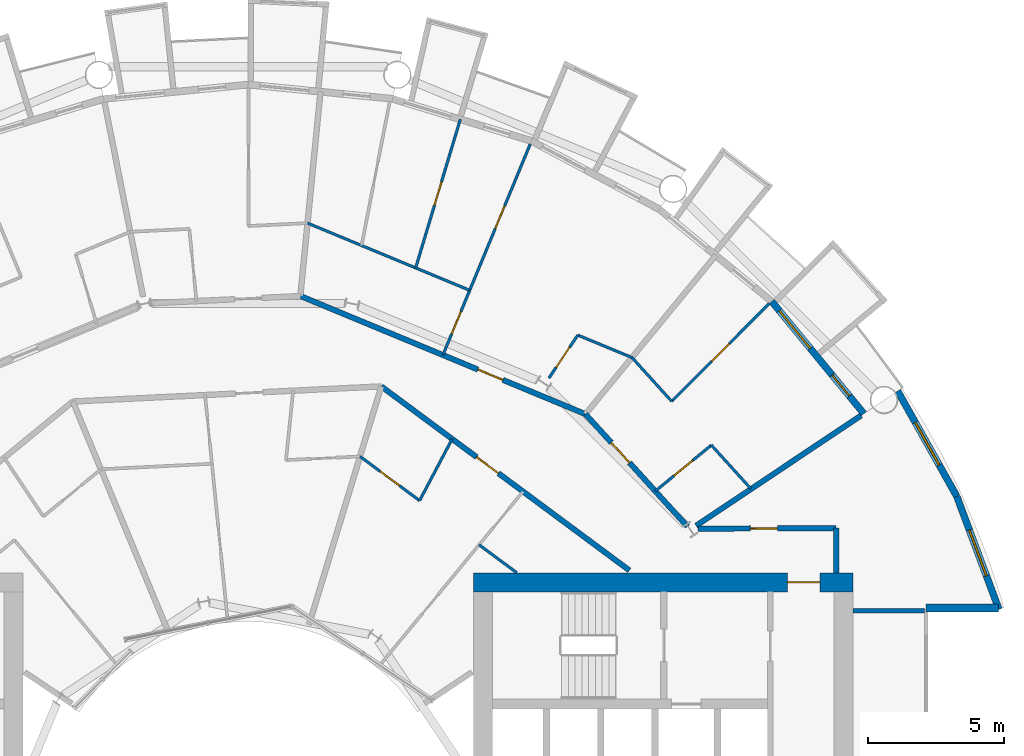
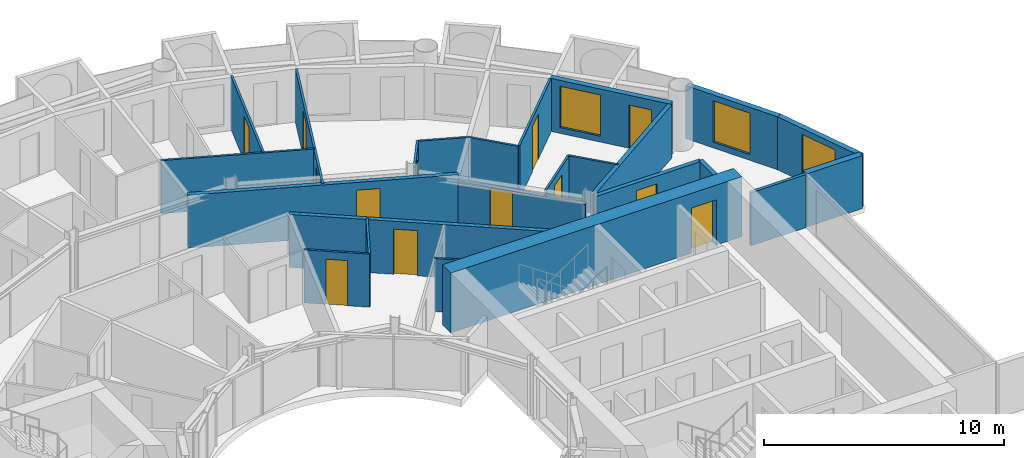
# One storey, part 21 of 26: 24 walls, 13 doors, 3 windows, 16 openings.
"""IFC4 building model written with IfcOpenShell, lengths in metres."""

from ifc_helpers import new_model, si_unit, direction, frame, frame_2d, origin, place, context, subcontext, project, spatial, rectangle, extrude, material, layer, layer_set, type_object, element, fill, save


model = new_model("IFC4")

# Units and contexts
model_context = context("Model", 3, precision=1e-05, world=origin(), true_north=direction((0.0, 1.0)))
body_context = subcontext(model_context, "Body", "Model", "MODEL_VIEW")
ifc_project = project(units=[si_unit("LENGTHUNIT", "METRE"), si_unit("AREAUNIT", "SQUARE_METRE"), si_unit("VOLUMEUNIT", "CUBIC_METRE"), si_unit("PLANEANGLEUNIT", "RADIAN"), si_unit("MASSUNIT", "GRAM", prefix="KILO")], contexts=[model_context])

# Site, building, storey
site_placement = place(None, origin())
site = spatial("IfcSite", under=ifc_project, at=site_placement, CompositionType="ELEMENT")
building_placement = place(site_placement, origin())
building = spatial("IfcBuilding", under=site, at=building_placement, Name="Maasbend Ring Residences", CompositionType="ELEMENT")
storey_placement = place(building_placement, frame((0.0, 0.0, 69.699951171875)))
storey = spatial("IfcBuildingStorey", under=building, at=storey_placement, Name="L19", CompositionType="ELEMENT", Elevation=69.699951171875)

# Wall, opening, door
ifc_material_1 = material(Name="Concrete C70/85", Category="concrete")
ifc_layer_1 = layer(ifc_material_1, 0.699951171875)
ifc_layer_set_1 = layer_set([ifc_layer_1], Name="Concrete C70/85")
wall_type_1 = type_object("IfcWallType", Name="CORE WALL 700 C70/85", PredefinedType="SHEAR", material=ifc_layer_set_1)
wall_1_placement = place(storey_placement, frame((22.300048828125, 8.949951171875, 0.0), z_axis=(0.0, 0.0, 1.0), x_axis=(-1.0, 0.0, 0.0)))
wall_1 = element("IfcWall", 1, at=wall_1_placement, inside=storey, type_object=wall_type_1, Name="L19 core E wall PN", PredefinedType="SHEAR", context=body_context, shape_type="SweptSolid", body=[
    extrude(rectangle(XDim=14.0, YDim=0.699951171875, at=frame_2d((7.0, 0.0))), origin(), (0.0, 0.0, 1.0), 3.050048828125),
])
opening_1_placement = place(wall_1_placement, frame((1.22509765625, 0.0, 0.0)))
opening_1 = element("IfcOpeningElement", 2, at=opening_1_placement, cuts=wall_1, Name="Opening D-E1915", PredefinedType="OPENING", context=body_context, shape_type="SweptSolid", body=[
    extrude(rectangle(XDim=1.199951171875, YDim=2.300048828125, at=frame_2d((0.60009765625, 1.14990234375))), frame((0.0, 0.35986328125, 0.0), z_axis=(0.0, -1.0, 0.0), x_axis=(1.0, 0.0, 0.0)), (0.0, 0.0, 1.0), 0.719970703125),
])
ifc_material_2 = material(Name="Steel, powder coated", Category="steel")
door_type_1 = type_object("IfcDoorType", Name="CORRIDOR DOOR 1200 X 2300 FD30S", OperationType="NOTDEFINED", PredefinedType="DOOR", material=ifc_material_2)
door_1_placement = place(opening_1_placement, origin())
door_1 = element("IfcDoor", 3, at=door_1_placement, inside=storey, type_object=door_type_1, Name="Corridor door L19", OperationType="SINGLE_SWING_RIGHT", OverallHeight=2.300048828125, OverallWidth=1.199951171875, PredefinedType="DOOR", context=body_context, shape_type="SweptSolid", body=[
    extrude(rectangle(XDim=1.199951171875, YDim=2.300048828125, at=frame_2d((0.60009765625, 1.14990234375))), frame((0.0, 0.02490234375, 0.0), z_axis=(0.0, -1.0, 0.0), x_axis=(1.0, 0.0, 0.0)), (0.0, 0.0, 1.0), 0.050048828125),
])
fill(opening_1, door_1)

# Wall
ifc_material_3 = material(Name="Concrete C30/37", Category="concrete")
ifc_layer_2 = layer(ifc_material_3, 0.199951171875)
ifc_layer_set_2 = layer_set([ifc_layer_2], Name="Concrete C30/37")
wall_type_2 = type_object("IfcWallType", Name="CORRIDOR WALL 200 CONCRETE", PredefinedType="PARTITIONING", material=ifc_layer_set_2)
wall_2_placement = place(storey_placement, frame((21.675048828125, 9.300048828125, 0.0), z_axis=(0.0, 0.0, 1.0), x_axis=(0.0, 1.0, 0.0)))
element("IfcWall", 4, at=wall_2_placement, inside=storey, type_object=wall_type_2, Name="U-L19-w006", PredefinedType="PARTITIONING", context=body_context, shape_type="SweptSolid", body=[
    extrude(rectangle(XDim=1.64990234375, YDim=0.199951171875, at=frame_2d((0.824951171875, 0.0))), origin(), (0.0, 0.0, 1.0), 2.699951171875),
])

# Wall, opening, door
wall_3_placement = place(storey_placement, frame((16.589111328125, 10.924072265625, 0.0), z_axis=(0.0, 0.0, 1.0), x_axis=(0.999987054722, 0.005088259783, 0.0)))
wall_3 = element("IfcWall", 5, at=wall_3_placement, inside=storey, type_object=wall_type_2, Name="U-L19-w088", PredefinedType="PARTITIONING", context=body_context, shape_type="SweptSolid", body=[
    extrude(rectangle(XDim=5.0859375, YDim=0.199951171875, at=frame_2d((2.54296875, 0.0))), origin(), (0.0, 0.0, 1.0), 2.699951171875),
])
opening_2_placement = place(wall_3_placement, frame((1.923095703125, 0.0, 0.0)))
opening_2 = element("IfcOpeningElement", 6, at=opening_2_placement, cuts=wall_3, Name="Opening D-1968", PredefinedType="OPENING", context=body_context, shape_type="SweptSolid", body=[
    extrude(rectangle(XDim=1.0, YDim=2.300048828125, at=frame_2d((0.5, 1.14990234375))), frame((0.0, 0.10986328125, 0.0), z_axis=(0.0, -1.0, 0.0), x_axis=(1.0, 0.0, 0.0)), (0.0, 0.0, 1.0), 0.219970703125),
])
ifc_material_4 = material(Name="Timber, painted", Category="wood")
door_type_2 = type_object("IfcDoorType", Name="ROOM DOOR 1000 X 2300", OperationType="NOTDEFINED", PredefinedType="DOOR", material=ifc_material_4)
door_2_placement = place(opening_2_placement, origin())
door_2 = element("IfcDoor", 7, at=door_2_placement, inside=storey, type_object=door_type_2, Name="D-1968", OperationType="SINGLE_SWING_LEFT", OverallHeight=2.300048828125, OverallWidth=1.0, PredefinedType="DOOR", context=body_context, shape_type="SweptSolid", body=[
    extrude(rectangle(XDim=1.0, YDim=2.300048828125, at=frame_2d((0.5, 1.14990234375))), frame((0.0, 0.02490234375, 0.0), z_axis=(0.0, -1.0, 0.0), x_axis=(1.0, 0.0, 0.0)), (0.0, 0.0, 1.0), 0.050048828125),
])
fill(opening_2, door_2)

wall_4_placement = place(storey_placement, frame((4.906005859375, 16.172119140625, 0.0), z_axis=(0.0, 0.0, 1.0), x_axis=(0.803204584823, -0.59570327758, 0.0)))
wall_4 = element("IfcWall", 8, at=wall_4_placement, inside=storey, type_object=wall_type_2, Name="U-L19-w096", PredefinedType="PARTITIONING", context=body_context, shape_type="SweptSolid", body=[
    extrude(rectangle(XDim=11.386962890625, YDim=0.199951171875, at=frame_2d((5.693359375, 0.0))), origin(), (0.0, 0.0, 1.0), 2.699951171875),
])
opening_3_placement = place(wall_4_placement, frame((4.3798828125, 0.0, 0.0)))
opening_3 = element("IfcOpeningElement", 9, at=opening_3_placement, cuts=wall_4, Name="Opening D-1921", PredefinedType="OPENING", context=body_context, shape_type="SweptSolid", body=[
    extrude(rectangle(XDim=1.0, YDim=2.300048828125, at=frame_2d((0.5, 1.14990234375))), frame((0.0, 0.10986328125, 0.0), z_axis=(0.0, -1.0, 0.0), x_axis=(1.0, 0.0, 0.0)), (0.0, 0.0, 1.0), 0.219970703125),
])
ifc_material_5 = material(Name="Timber, fire-rated, painted", Category="wood")
door_type_3 = type_object("IfcDoorType", Name="FLAT ENTRANCE DOOR 1000 X 2300 FIRE-RATED", OperationType="NOTDEFINED", PredefinedType="DOOR", material=ifc_material_5)
door_3_placement = place(opening_3_placement, origin())
door_3 = element("IfcDoor", 10, at=door_3_placement, inside=storey, type_object=door_type_3, Name="D-1921", OperationType="SINGLE_SWING_LEFT", OverallHeight=2.300048828125, OverallWidth=1.0, PredefinedType="DOOR", context=body_context, shape_type="SweptSolid", body=[
    extrude(rectangle(XDim=1.0, YDim=2.300048828125, at=frame_2d((0.5, 1.14990234375))), frame((0.0, 0.02490234375, 0.0), z_axis=(0.0, -1.0, 0.0), x_axis=(1.0, 0.0, 0.0)), (0.0, 0.0, 1.0), 0.050048828125),
])
fill(opening_3, door_3)

wall_5_placement = place(storey_placement, frame((1.9208984375, 19.506103515625, 0.0), z_axis=(0.0, 0.0, 1.0), x_axis=(0.923845560554, -0.38276543763, 0.0)))
wall_5 = element("IfcWall", 11, at=wall_5_placement, inside=storey, type_object=wall_type_2, Name="U-L19-w098", PredefinedType="PARTITIONING", context=body_context, shape_type="SweptSolid", body=[
    extrude(rectangle(XDim=11.380859375, YDim=0.199951171875, at=frame_2d((5.6904296875, 0.0))), origin(), (0.0, 0.0, 1.0), 2.699951171875),
])
opening_4_placement = place(wall_5_placement, frame((7.0869140625, 0.0, 0.0)))
opening_4 = element("IfcOpeningElement", 12, at=opening_4_placement, cuts=wall_5, Name="Opening D-1904", PredefinedType="OPENING", context=body_context, shape_type="SweptSolid", body=[
    extrude(rectangle(XDim=1.0, YDim=2.300048828125, at=frame_2d((0.5, 1.14990234375))), frame((0.0, 0.10986328125, 0.0), z_axis=(0.0, -1.0, 0.0), x_axis=(1.0, 0.0, 0.0)), (0.0, 0.0, 1.0), 0.219970703125),
])
door_4_placement = place(opening_4_placement, origin())
door_4 = element("IfcDoor", 13, at=door_4_placement, inside=storey, type_object=door_type_3, Name="D-1904", OperationType="SINGLE_SWING_RIGHT", OverallHeight=2.300048828125, OverallWidth=1.0, PredefinedType="DOOR", context=body_context, shape_type="SweptSolid", body=[
    extrude(rectangle(XDim=1.0, YDim=2.300048828125, at=frame_2d((0.5, 1.14990234375))), frame((0.0, 0.02490234375, 0.0), z_axis=(0.0, -1.0, 0.0), x_axis=(1.0, 0.0, 0.0)), (0.0, 0.0, 1.0), 0.050048828125),
])
fill(opening_4, door_4)

wall_6_placement = place(storey_placement, frame((12.43408203125, 15.15087890625, 0.0), z_axis=(0.0, 0.0, 1.0), x_axis=(0.671601747072, -0.740912338492, 0.0)))
wall_6 = element("IfcWall", 14, at=wall_6_placement, inside=storey, type_object=wall_type_2, Name="U-L19-w102", PredefinedType="PARTITIONING", context=body_context, shape_type="SweptSolid", body=[
    extrude(rectangle(XDim=5.59716796875, YDim=0.199951171875, at=frame_2d((2.798583984375, 0.0))), origin(), (0.0, 0.0, 1.0), 2.380126953125),
])
opening_5_placement = place(wall_6_placement, frame((1.4169921875, 0.0, 0.0)))
opening_5 = element("IfcOpeningElement", 15, at=opening_5_placement, cuts=wall_6, Name="Opening D-1901", PredefinedType="OPENING", context=body_context, shape_type="SweptSolid", body=[
    extrude(rectangle(XDim=1.0, YDim=2.300048828125, at=frame_2d((0.5, 1.14990234375))), frame((0.0, 0.10986328125, 0.0), z_axis=(0.0, -1.0, 0.0), x_axis=(1.0, 0.0, 0.0)), (0.0, 0.0, 1.0), 0.219970703125),
])
door_5_placement = place(opening_5_placement, origin())
door_5 = element("IfcDoor", 16, at=door_5_placement, inside=storey, type_object=door_type_3, Name="D-1901", OperationType="SINGLE_SWING_LEFT", OverallHeight=2.300048828125, OverallWidth=1.0, PredefinedType="DOOR", context=body_context, shape_type="SweptSolid", body=[
    extrude(rectangle(XDim=1.0, YDim=2.300048828125, at=frame_2d((0.5, 1.14990234375))), frame((0.0, 0.02490234375, 0.0), z_axis=(0.0, -1.0, 0.0), x_axis=(1.0, 0.0, 0.0)), (0.0, 0.0, 1.0), 0.050048828125),
])
fill(opening_5, door_5)

# Wall, openings, door, window
ifc_material_6 = material(Name="Aluminium clad insulated panel", Category="aluminium")
ifc_layer_3 = layer(ifc_material_6, 0.25)
ifc_layer_set_3 = layer_set([ifc_layer_3], Name="EW-GL")
wall_type_3 = type_object("IfcWallType", Name="EW-GL", PredefinedType="SOLIDWALL", material=ifc_layer_set_3)
wall_7_placement = place(storey_placement, frame((22.698974609375, 15.1669921875, 0.0), z_axis=(0.0, 0.0, 1.0), x_axis=(-0.634382322723, 0.773019449054, 0.0)))
wall_7 = element("IfcWall", 17, at=wall_7_placement, inside=storey, type_object=wall_type_3, Name="External wall N01", PredefinedType="SOLIDWALL", context=body_context, shape_type="SweptSolid", body=[
    extrude(rectangle(XDim=5.351806640625, YDim=0.25, at=frame_2d((2.67578125, 0.0))), origin(), (0.0, 0.0, 1.0), 2.699951171875),
])
opening_6_placement = place(wall_7_placement, frame((0.841064453125, 0.0, 0.0)))
opening_6 = element("IfcOpeningElement", 18, at=opening_6_placement, cuts=wall_7, Name="Opening D-LG", PredefinedType="OPENING", context=body_context, shape_type="SweptSolid", body=[
    extrude(rectangle(XDim=1.0, YDim=2.199951171875, at=frame_2d((0.5, 1.10009765625))), frame((0.0, 0.135009765625, 0.0), z_axis=(0.0, -1.0, 0.0), x_axis=(1.0, 0.0, 0.0)), (0.0, 0.0, 1.0), 0.27001953125),
])
opening_7_placement = place(wall_7_placement, frame((3.110595703125, 0.0, 0.300048828125)))
opening_7 = element("IfcOpeningElement", 19, at=opening_7_placement, cuts=wall_7, Name="Opening W-BX", PredefinedType="OPENING", context=body_context, shape_type="SweptSolid", body=[
    extrude(rectangle(XDim=1.800048828125, YDim=2.10009765625, at=frame_2d((0.89990234375, 1.050048828125))), frame((0.0, 0.135009765625, 0.0), z_axis=(0.0, -1.0, 0.0), x_axis=(1.0, 0.0, 0.0)), (0.0, 0.0, 1.0), 0.27001953125),
])
ifc_material_7 = material(Name="Aluminium and clear glass", Category="aluminium")
door_type_4 = type_object("IfcDoorType", Name="D-LG", OperationType="SINGLE_SWING_LEFT", PredefinedType="DOOR", material=ifc_material_7)
door_6_placement = place(opening_6_placement, origin())
door_6 = element("IfcDoor", 20, at=door_6_placement, inside=storey, type_object=door_type_4, Name="Loggia door N01", OperationType="SINGLE_SWING_LEFT", OverallHeight=2.199951171875, OverallWidth=1.0, PredefinedType="DOOR", context=body_context, shape_type="SweptSolid", body=[
    extrude(rectangle(XDim=1.0, YDim=2.199951171875, at=frame_2d((0.5, 1.10009765625))), frame((0.0, 0.02490234375, 0.0), z_axis=(0.0, -1.0, 0.0), x_axis=(1.0, 0.0, 0.0)), (0.0, 0.0, 1.0), 0.050048828125),
])
fill(opening_6, door_6)
ifc_material_8 = material(Name="Aluminium and clear glass", Category="aluminium")
window_type = type_object("IfcWindowType", Name="W-BX", PartitioningType="DOUBLE_PANEL_VERTICAL", PredefinedType="WINDOW", material=ifc_material_8)
window_1_placement = place(opening_7_placement, origin())
window_1 = element("IfcWindow", 21, at=window_1_placement, inside=storey, type_object=window_type, Name="Window N02 room to box", OverallHeight=2.10009765625, OverallWidth=1.800048828125, PartitioningType="SINGLE_PANEL", PredefinedType="WINDOW", context=body_context, shape_type="SweptSolid", body=[
    extrude(rectangle(XDim=1.800048828125, YDim=2.10009765625, at=frame_2d((0.89990234375, 1.050048828125))), frame((0.0, 0.030029296875, 0.0), z_axis=(0.0, -1.0, 0.0), x_axis=(1.0, 0.0, 0.0)), (0.0, 0.0, 1.0), 0.06005859375),
])
fill(opening_7, window_1)

# Wall, opening, window
ifc_material_9 = material(Name="Aluminium clad insulated panel", Category="aluminium")
ifc_layer_4 = layer(ifc_material_9, 0.25)
ifc_layer_set_4 = layer_set([ifc_layer_4], Name="EW-HORN")
wall_type_4 = type_object("IfcWallType", Name="EW-HORN", PredefinedType="SOLIDWALL", material=ifc_layer_set_4)
wall_8_placement = place(storey_placement, frame((27.681884765625, 7.945068359375, 0.0), z_axis=(0.0, 0.0, 1.0), x_axis=(-0.349247811493, 0.937030397675, 0.0)))
wall_8 = element("IfcWall", 22, at=wall_8_placement, inside=storey, type_object=wall_type_4, Name="Horn wall 1.1", PredefinedType="SOLIDWALL", context=body_context, shape_type="SweptSolid", body=[
    extrude(rectangle(XDim=4.4521484375, YDim=0.25, at=frame_2d((2.22607421875, 0.0))), origin(), (0.0, 0.0, 1.0), 2.699951171875),
])
opening_8_placement = place(wall_8_placement, frame((1.32666015625, 0.0, 0.300048828125)))
opening_8 = element("IfcOpeningElement", 23, at=opening_8_placement, cuts=wall_8, Name="Opening W-BX", PredefinedType="OPENING", context=body_context, shape_type="SweptSolid", body=[
    extrude(rectangle(XDim=1.800048828125, YDim=2.10009765625, at=frame_2d((0.89990234375, 1.050048828125))), frame((0.0, 0.135009765625, 0.0), z_axis=(0.0, -1.0, 0.0), x_axis=(1.0, 0.0, 0.0)), (0.0, 0.0, 1.0), 0.27001953125),
])
window_2_placement = place(opening_8_placement, origin())
window_2 = element("IfcWindow", 24, at=window_2_placement, inside=storey, type_object=window_type, Name="Horn window 1.1", OverallHeight=2.10009765625, OverallWidth=1.800048828125, PartitioningType="SINGLE_PANEL", PredefinedType="WINDOW", context=body_context, shape_type="SweptSolid", body=[
    extrude(rectangle(XDim=1.800048828125, YDim=2.10009765625, at=frame_2d((0.89990234375, 1.050048828125))), frame((0.0, 0.030029296875, 0.0), z_axis=(0.0, -1.0, 0.0), x_axis=(1.0, 0.0, 0.0)), (0.0, 0.0, 1.0), 0.06005859375),
])
fill(opening_8, window_2)

wall_9_placement = place(storey_placement, frame((26.126953125, 12.116943359375, 0.0), z_axis=(0.0, 0.0, 1.0), x_axis=(-0.489696356642, 0.871893042919, 0.0)))
wall_9 = element("IfcWall", 25, at=wall_9_placement, inside=storey, type_object=wall_type_4, Name="Horn wall 1.2", PredefinedType="SOLIDWALL", context=body_context, shape_type="SweptSolid", body=[
    extrude(rectangle(XDim=4.45361328125, YDim=0.25, at=frame_2d((2.226806640625, 0.0))), origin(), (0.0, 0.0, 1.0), 2.699951171875),
])
opening_9_placement = place(wall_9_placement, frame((1.32666015625, 0.0, 0.300048828125)))
opening_9 = element("IfcOpeningElement", 26, at=opening_9_placement, cuts=wall_9, Name="Opening W-BX", PredefinedType="OPENING", context=body_context, shape_type="SweptSolid", body=[
    extrude(rectangle(XDim=1.800048828125, YDim=2.10009765625, at=frame_2d((0.89990234375, 1.050048828125))), frame((0.0, 0.135009765625, 0.0), z_axis=(0.0, -1.0, 0.0), x_axis=(1.0, 0.0, 0.0)), (0.0, 0.0, 1.0), 0.27001953125),
])
window_3_placement = place(opening_9_placement, origin())
window_3 = element("IfcWindow", 27, at=window_3_placement, inside=storey, type_object=window_type, Name="Horn window 1.2", OverallHeight=2.10009765625, OverallWidth=1.800048828125, PartitioningType="SINGLE_PANEL", PredefinedType="WINDOW", context=body_context, shape_type="SweptSolid", body=[
    extrude(rectangle(XDim=1.800048828125, YDim=2.10009765625, at=frame_2d((0.89990234375, 1.050048828125))), frame((0.0, 0.030029296875, 0.0), z_axis=(0.0, -1.0, 0.0), x_axis=(1.0, 0.0, 0.0)), (0.0, 0.0, 1.0), 0.06005859375),
])
fill(opening_9, window_3)

# Wall
ifc_material_10 = material(Name="Aluminium clad insulated panel", Category="aluminium")
ifc_layer_5 = layer(ifc_material_10, 0.300048828125)
ifc_layer_set_5 = layer_set([ifc_layer_5], Name="EW-RET")
wall_type_5 = type_object("IfcWallType", Name="EW-RET", PredefinedType="SOLIDWALL", material=ifc_layer_set_5)
wall_10_placement = place(storey_placement, frame((25.0, 8.0, 0.0), z_axis=(0.0, 0.0, 1.0), x_axis=(1.0, 0.0, 0.0)))
element("IfcWall", 28, at=wall_10_placement, inside=storey, type_object=wall_type_5, Name="Notch return wall east north", PredefinedType="SOLIDWALL", context=body_context, shape_type="SweptSolid", body=[
    extrude(rectangle(XDim=2.6669921875, YDim=0.300048828125, at=frame_2d((1.33349609375, 0.0))), origin(), (0.0, 0.0, 1.0), 2.699951171875),
])

# Wall, openings, doors
ifc_material_11 = material(Name="Gypsum board on steel studs", Category="steel")
ifc_layer_6 = layer(ifc_material_11, 0.10009765625)
ifc_layer_set_6 = layer_set([ifc_layer_6], Name="PARTITION 100 GYPSUM")
wall_type_6 = type_object("IfcWallType", Name="PARTITION 100 GYPSUM", PredefinedType="PARTITIONING", material=ifc_layer_set_6)
wall_11_placement = place(storey_placement, frame((7.177978515625, 17.327880859375, 0.0), z_axis=(0.0, 0.0, 1.0), x_axis=(0.382458509789, 0.923972666419, 0.0)))
wall_11 = element("IfcWall", 29, at=wall_11_placement, inside=storey, type_object=wall_type_6, Name="U-L19-w028", PredefinedType="PARTITIONING", context=body_context, shape_type="SweptSolid", body=[
    extrude(rectangle(XDim=8.419189453125, YDim=0.10009765625, at=frame_2d((4.20947265625, 0.0))), origin(), (0.0, 0.0, 1.0), 2.699951171875),
])
opening_10_placement = place(wall_11_placement, frame((0.841064453125, 0.0, 0.0)))
opening_10 = element("IfcOpeningElement", 30, at=opening_10_placement, cuts=wall_11, Name="Opening D-1906", PredefinedType="OPENING", context=body_context, shape_type="SweptSolid", body=[
    extrude(rectangle(XDim=0.89990234375, YDim=2.300048828125, at=frame_2d((0.449951171875, 1.14990234375))), frame((0.0, 0.06005859375, 0.0), z_axis=(0.0, -1.0, 0.0), x_axis=(1.0, 0.0, 0.0)), (0.0, 0.0, 1.0), 0.1201171875),
])
opening_11_placement = place(wall_11_placement, frame((5.051025390625, 0.0, 0.0)))
opening_11 = element("IfcOpeningElement", 31, at=opening_11_placement, cuts=wall_11, Name="Opening D-1907", PredefinedType="OPENING", context=body_context, shape_type="SweptSolid", body=[
    extrude(rectangle(XDim=0.89990234375, YDim=2.300048828125, at=frame_2d((0.449951171875, 1.14990234375))), frame((0.0, 0.06005859375, 0.0), z_axis=(0.0, -1.0, 0.0), x_axis=(1.0, 0.0, 0.0)), (0.0, 0.0, 1.0), 0.1201171875),
])
ifc_material_12 = material(Name="Timber, painted", Category="wood")
door_type_5 = type_object("IfcDoorType", Name="INTERNAL DOOR 900 X 2300", OperationType="NOTDEFINED", PredefinedType="DOOR", material=ifc_material_12)
door_7_placement = place(opening_10_placement, origin())
door_7 = element("IfcDoor", 32, at=door_7_placement, inside=storey, type_object=door_type_5, Name="D-1906", OperationType="SINGLE_SWING_LEFT", OverallHeight=2.300048828125, OverallWidth=0.89990234375, PredefinedType="DOOR", context=body_context, shape_type="SweptSolid", body=[
    extrude(rectangle(XDim=0.89990234375, YDim=2.300048828125, at=frame_2d((0.449951171875, 1.14990234375))), frame((0.0, 0.02490234375, 0.0), z_axis=(0.0, -1.0, 0.0), x_axis=(1.0, 0.0, 0.0)), (0.0, 0.0, 1.0), 0.050048828125),
])
fill(opening_10, door_7)
door_8_placement = place(opening_11_placement, origin())
door_8 = element("IfcDoor", 33, at=door_8_placement, inside=storey, type_object=door_type_5, Name="D-1907", OperationType="SINGLE_SWING_RIGHT", OverallHeight=2.300048828125, OverallWidth=0.89990234375, PredefinedType="DOOR", context=body_context, shape_type="SweptSolid", body=[
    extrude(rectangle(XDim=0.89990234375, YDim=2.300048828125, at=frame_2d((0.449951171875, 1.14990234375))), frame((0.0, 0.02490234375, 0.0), z_axis=(0.0, -1.0, 0.0), x_axis=(1.0, 0.0, 0.0)), (0.0, 0.0, 1.0), 0.050048828125),
])
fill(opening_11, door_8)

# Wall, opening, door
wall_12_placement = place(storey_placement, frame((6.173095703125, 20.541015625, 0.0), z_axis=(0.0, 0.0, 1.0), x_axis=(0.287793773423, 0.957692405723, 0.0)))
wall_12 = element("IfcWall", 34, at=wall_12_placement, inside=storey, type_object=wall_type_6, Name="U-L19-w072", PredefinedType="PARTITIONING", context=body_context, shape_type="SweptSolid", body=[
    extrude(rectangle(XDim=5.72607421875, YDim=0.10009765625, at=frame_2d((2.863037109375, 0.0))), origin(), (0.0, 0.0, 1.0), 2.699951171875),
])
opening_12_placement = place(wall_12_placement, frame((2.4130859375, 0.0, 0.0)))
opening_12 = element("IfcOpeningElement", 35, at=opening_12_placement, cuts=wall_12, Name="Opening D-1908", PredefinedType="OPENING", context=body_context, shape_type="SweptSolid", body=[
    extrude(rectangle(XDim=0.89990234375, YDim=2.300048828125, at=frame_2d((0.449951171875, 1.14990234375))), frame((0.0, 0.06005859375, 0.0), z_axis=(0.0, -1.0, 0.0), x_axis=(1.0, 0.0, 0.0)), (0.0, 0.0, 1.0), 0.1201171875),
])
door_9_placement = place(opening_12_placement, origin())
door_9 = element("IfcDoor", 36, at=door_9_placement, inside=storey, type_object=door_type_5, Name="D-1908", OperationType="SINGLE_SWING_RIGHT", OverallHeight=2.300048828125, OverallWidth=0.89990234375, PredefinedType="DOOR", context=body_context, shape_type="SweptSolid", body=[
    extrude(rectangle(XDim=0.89990234375, YDim=2.300048828125, at=frame_2d((0.449951171875, 1.14990234375))), frame((0.0, 0.02490234375, 0.0), z_axis=(0.0, -1.0, 0.0), x_axis=(1.0, 0.0, 0.0)), (0.0, 0.0, 1.0), 0.050048828125),
])
fill(opening_12, door_9)

# Wall
wall_13_placement = place(storey_placement, frame((6.318115234375, 11.9599609375, 0.0), z_axis=(0.0, 0.0, 1.0), x_axis=(0.467001992543, 0.884256263173, 0.0)))
element("IfcWall", 37, at=wall_13_placement, inside=storey, type_object=wall_type_6, Name="U-L19-w074", PredefinedType="PARTITIONING", context=body_context, shape_type="SweptSolid", body=[
    extrude(rectangle(XDim=2.571533203125, YDim=0.10009765625, at=frame_2d((1.28564453125, 0.0))), origin(), (0.0, 0.0, 1.0), 2.699951171875),
])

# Wall, opening, door
wall_14_placement = place(storey_placement, frame((11.0869140625, 16.47998046875, 0.0), z_axis=(0.0, 0.0, 1.0), x_axis=(0.558383137663, 0.829583191472, 0.0)))
wall_14 = element("IfcWall", 38, at=wall_14_placement, inside=storey, type_object=wall_type_6, Name="U-L19-w077", PredefinedType="PARTITIONING", context=body_context, shape_type="SweptSolid", body=[
    extrude(rectangle(XDim=1.909423828125, YDim=0.10009765625, at=frame_2d((0.95458984375, 0.0))), origin(), (0.0, 0.0, 1.0), 2.699951171875),
])
opening_13_placement = place(wall_14_placement, frame((0.47412109375, 0.0, 0.0)))
opening_13 = element("IfcOpeningElement", 39, at=opening_13_placement, cuts=wall_14, Name="Opening D-1905", PredefinedType="OPENING", context=body_context, shape_type="SweptSolid", body=[
    extrude(rectangle(XDim=0.89990234375, YDim=2.300048828125, at=frame_2d((0.449951171875, 1.14990234375))), frame((0.0, 0.06005859375, 0.0), z_axis=(0.0, -1.0, 0.0), x_axis=(1.0, 0.0, 0.0)), (0.0, 0.0, 1.0), 0.1201171875),
])
door_10_placement = place(opening_13_placement, origin())
door_10 = element("IfcDoor", 40, at=door_10_placement, inside=storey, type_object=door_type_5, Name="D-1905", OperationType="SINGLE_SWING_LEFT", OverallHeight=2.300048828125, OverallWidth=0.89990234375, PredefinedType="DOOR", context=body_context, shape_type="SweptSolid", body=[
    extrude(rectangle(XDim=0.89990234375, YDim=2.300048828125, at=frame_2d((0.449951171875, 1.14990234375))), frame((0.0, 0.02490234375, 0.0), z_axis=(0.0, -1.0, 0.0), x_axis=(1.0, 0.0, 0.0)), (0.0, 0.0, 1.0), 0.050048828125),
])
fill(opening_13, door_10)

wall_15_placement = place(storey_placement, frame((15.009033203125, 12.31005859375, 0.0), z_axis=(0.0, 0.0, 1.0), x_axis=(0.77319617123, 0.634166918717, 0.0)))
wall_15 = element("IfcWall", 41, at=wall_15_placement, inside=storey, type_object=wall_type_6, Name="U-L19-w081", PredefinedType="PARTITIONING", context=body_context, shape_type="SweptSolid", body=[
    extrude(rectangle(XDim=2.674560546875, YDim=0.10009765625, at=frame_2d((1.33740234375, 0.0))), origin(), (0.0, 0.0, 1.0), 2.699951171875),
])
opening_14_placement = place(wall_15_placement, frame((0.886962890625, 0.0, 0.0)))
opening_14 = element("IfcOpeningElement", 42, at=opening_14_placement, cuts=wall_15, Name="Opening D-1902", PredefinedType="OPENING", context=body_context, shape_type="SweptSolid", body=[
    extrude(rectangle(XDim=0.89990234375, YDim=2.300048828125, at=frame_2d((0.449951171875, 1.14990234375))), frame((0.0, 0.06005859375, 0.0), z_axis=(0.0, -1.0, 0.0), x_axis=(1.0, 0.0, 0.0)), (0.0, 0.0, 1.0), 0.1201171875),
])
door_11_placement = place(opening_14_placement, origin())
door_11 = element("IfcDoor", 43, at=door_11_placement, inside=storey, type_object=door_type_5, Name="D-1902", OperationType="SINGLE_SWING_RIGHT", OverallHeight=2.300048828125, OverallWidth=0.89990234375, PredefinedType="DOOR", context=body_context, shape_type="SweptSolid", body=[
    extrude(rectangle(XDim=0.89990234375, YDim=2.300048828125, at=frame_2d((0.449951171875, 1.14990234375))), frame((0.0, 0.02490234375, 0.0), z_axis=(0.0, -1.0, 0.0), x_axis=(1.0, 0.0, 0.0)), (0.0, 0.0, 1.0), 0.050048828125),
])
fill(opening_14, door_11)

wall_16_placement = place(storey_placement, frame((15.612060546875, 15.6220703125, 0.0), z_axis=(0.0, 0.0, 1.0), x_axis=(0.706914880313, 0.707298629994, 0.0)))
wall_16 = element("IfcWall", 44, at=wall_16_placement, inside=storey, type_object=wall_type_6, Name="U-L19-w083", PredefinedType="PARTITIONING", context=body_context, shape_type="SweptSolid", body=[
    extrude(rectangle(XDim=5.089599609375, YDim=0.10009765625, at=frame_2d((2.544921875, 0.0))), origin(), (0.0, 0.0, 1.0), 2.699951171875),
])
opening_15_placement = place(wall_16_placement, frame((2.094970703125, 0.0, 0.0)))
opening_15 = element("IfcOpeningElement", 45, at=opening_15_placement, cuts=wall_16, Name="Opening D-1903", PredefinedType="OPENING", context=body_context, shape_type="SweptSolid", body=[
    extrude(rectangle(XDim=0.89990234375, YDim=2.300048828125, at=frame_2d((0.449951171875, 1.14990234375))), frame((0.0, 0.06005859375, 0.0), z_axis=(0.0, -1.0, 0.0), x_axis=(1.0, 0.0, 0.0)), (0.0, 0.0, 1.0), 0.1201171875),
])
door_12_placement = place(opening_15_placement, origin())
door_12 = element("IfcDoor", 46, at=door_12_placement, inside=storey, type_object=door_type_5, Name="D-1903", OperationType="SINGLE_SWING_LEFT", OverallHeight=2.300048828125, OverallWidth=0.89990234375, PredefinedType="DOOR", context=body_context, shape_type="SweptSolid", body=[
    extrude(rectangle(XDim=0.89990234375, YDim=2.300048828125, at=frame_2d((0.449951171875, 1.14990234375))), frame((0.0, 0.02490234375, 0.0), z_axis=(0.0, -1.0, 0.0), x_axis=(1.0, 0.0, 0.0)), (0.0, 0.0, 1.0), 0.050048828125),
])
fill(opening_15, door_12)

wall_17_placement = place(storey_placement, frame((4.1220703125, 13.589111328125, 0.0), z_axis=(0.0, 0.0, 1.0), x_axis=(0.803128348509, -0.595806055542, 0.0)))
wall_17 = element("IfcWall", 47, at=wall_17_placement, inside=storey, type_object=wall_type_6, Name="U-L19-w091", PredefinedType="PARTITIONING", context=body_context, shape_type="SweptSolid", body=[
    extrude(rectangle(XDim=2.734375, YDim=0.10009765625, at=frame_2d((1.3671875, 0.0))), origin(), (0.0, 0.0, 1.0), 2.699951171875),
])
opening_16_placement = place(wall_17_placement, frame((0.9169921875, 0.0, 0.0)))
opening_16 = element("IfcOpeningElement", 48, at=opening_16_placement, cuts=wall_17, Name="Opening D-1922", PredefinedType="OPENING", context=body_context, shape_type="SweptSolid", body=[
    extrude(rectangle(XDim=0.89990234375, YDim=2.300048828125, at=frame_2d((0.449951171875, 1.14990234375))), frame((0.0, 0.06005859375, 0.0), z_axis=(0.0, -1.0, 0.0), x_axis=(1.0, 0.0, 0.0)), (0.0, 0.0, 1.0), 0.1201171875),
])
door_13_placement = place(opening_16_placement, origin())
door_13 = element("IfcDoor", 49, at=door_13_placement, inside=storey, type_object=door_type_5, Name="D-1922", OperationType="SINGLE_SWING_LEFT", OverallHeight=2.300048828125, OverallWidth=0.89990234375, PredefinedType="DOOR", context=body_context, shape_type="SweptSolid", body=[
    extrude(rectangle(XDim=0.89990234375, YDim=2.300048828125, at=frame_2d((0.449951171875, 1.14990234375))), frame((0.0, 0.02490234375, 0.0), z_axis=(0.0, -1.0, 0.0), x_axis=(1.0, 0.0, 0.0)), (0.0, 0.0, 1.0), 0.050048828125),
])
fill(opening_16, door_13)

# Walls
wall_18_placement = place(storey_placement, frame((8.511962890625, 10.33203125, 0.0), z_axis=(0.0, 0.0, 1.0), x_axis=(0.803135014325, -0.595797070121, 0.0)))
element("IfcWall", 50, at=wall_18_placement, inside=storey, type_object=wall_type_6, Name="U-L19-w092", PredefinedType="PARTITIONING", context=body_context, shape_type="SweptSolid", body=[
    extrude(rectangle(XDim=1.732177734375, YDim=0.10009765625, at=frame_2d((0.8662109375, 0.0))), origin(), (0.0, 0.0, 1.0), 2.699951171875),
])
wall_19_placement = place(storey_placement, frame((2.18505859375, 22.193115234375, 0.0), z_axis=(0.0, 0.0, 1.0), x_axis=(0.923844914631, -0.382766996632, 0.0)))
element("IfcWall", 51, at=wall_19_placement, inside=storey, type_object=wall_type_6, Name="U-L19-w103", PredefinedType="PARTITIONING", context=body_context, shape_type="SweptSolid", body=[
    extrude(rectangle(XDim=6.473876953125, YDim=0.10009765625, at=frame_2d((3.23681640625, 0.0))), origin(), (0.0, 0.0, 1.0), 2.699951171875),
])
wall_20_placement = place(storey_placement, frame((12.155029296875, 18.06201171875, 0.0), z_axis=(0.0, 0.0, 1.0), x_axis=(0.923874819588, -0.382694810171, 0.0)))
element("IfcWall", 52, at=wall_20_placement, inside=storey, type_object=wall_type_6, Name="U-L19-w104", PredefinedType="PARTITIONING", context=body_context, shape_type="SweptSolid", body=[
    extrude(rectangle(XDim=2.158203125, YDim=0.10009765625, at=frame_2d((1.0791015625, 0.0))), origin(), (0.0, 0.0, 1.0), 2.699951171875),
])
wall_21_placement = place(storey_placement, frame((14.14697265625, 17.238037109375, 0.0), z_axis=(0.0, 0.0, 1.0), x_axis=(0.671674967707, -0.740845960882, 0.0)))
element("IfcWall", 53, at=wall_21_placement, inside=storey, type_object=wall_type_6, Name="U-L19-w113", PredefinedType="PARTITIONING", context=body_context, shape_type="SweptSolid", body=[
    extrude(rectangle(XDim=2.18115234375, YDim=0.10009765625, at=frame_2d((1.090576171875, 0.0))), origin(), (0.0, 0.0, 1.0), 2.699951171875),
])
wall_22_placement = place(storey_placement, frame((17.072021484375, 14.010986328125, 0.0), z_axis=(0.0, 0.0, 1.0), x_axis=(0.67169789574, -0.740825172937, 0.0)))
element("IfcWall", 54, at=wall_22_placement, inside=storey, type_object=wall_type_6, Name="U-L19-w114", PredefinedType="PARTITIONING", context=body_context, shape_type="SweptSolid", body=[
    extrude(rectangle(XDim=2.1826171875, YDim=0.10009765625, at=frame_2d((1.09130859375, 0.0))), origin(), (0.0, 0.0, 1.0), 2.699951171875),
])
ifc_material_13 = material(Name="Gypsum board on steel studs", Category="steel")
ifc_layer_7 = layer(ifc_material_13, 0.14990234375)
ifc_layer_set_7 = layer_set([ifc_layer_7], Name="PARTITION 150 EI 60")
wall_type_7 = type_object("IfcWallType", Name="PARTITION 150 EI 60", PredefinedType="PARTITIONING", material=ifc_layer_set_7)
wall_23_placement = place(storey_placement, frame((22.300048828125, 7.89990234375, 0.0), z_axis=(0.0, 0.0, 1.0), x_axis=(1.0, 0.0, 0.0)))
element("IfcWall", 55, at=wall_23_placement, inside=storey, type_object=wall_type_7, Name="L19 core E wall CITN", PredefinedType="PARTITIONING", context=body_context, shape_type="SweptSolid", body=[
    extrude(rectangle(XDim=2.639892578125, YDim=0.14990234375, at=frame_2d((1.31982421875, 0.0))), origin(), (0.0, 0.0, 1.0), 2.699951171875),
])
ifc_material_14 = material(Name="Concrete C30/37", Category="concrete")
ifc_layer_8 = layer(ifc_material_14, 0.199951171875)
ifc_layer_set_8 = layer_set([ifc_layer_8], Name="Concrete C30/37")
wall_type_8 = type_object("IfcWallType", Name="PARTY WALL 200 CONCRETE", PredefinedType="PARTITIONING", material=ifc_layer_set_8)
wall_24_placement = place(storey_placement, frame((16.514892578125, 11.033935546875, 0.0), z_axis=(0.0, 0.0, 1.0), x_axis=(0.831382022135, 0.555701298605, 0.0)))
element("IfcWall", 56, at=wall_24_placement, inside=storey, type_object=wall_type_8, Name="U-L19-w029", PredefinedType="PARTITIONING", context=body_context, shape_type="SweptSolid", body=[
    extrude(rectangle(XDim=7.313232421875, YDim=0.199951171875, at=frame_2d((3.65673828125, 0.0))), origin(), (0.0, 0.0, 1.0), 2.699951171875),
])

save(model, "model.ifc")
